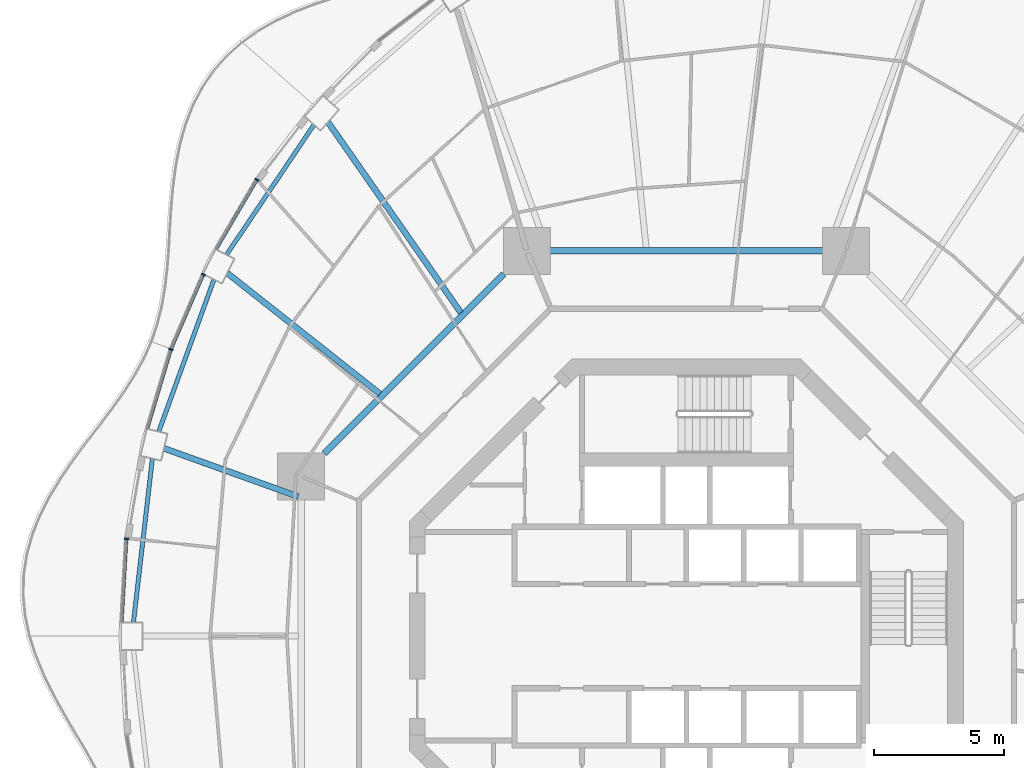
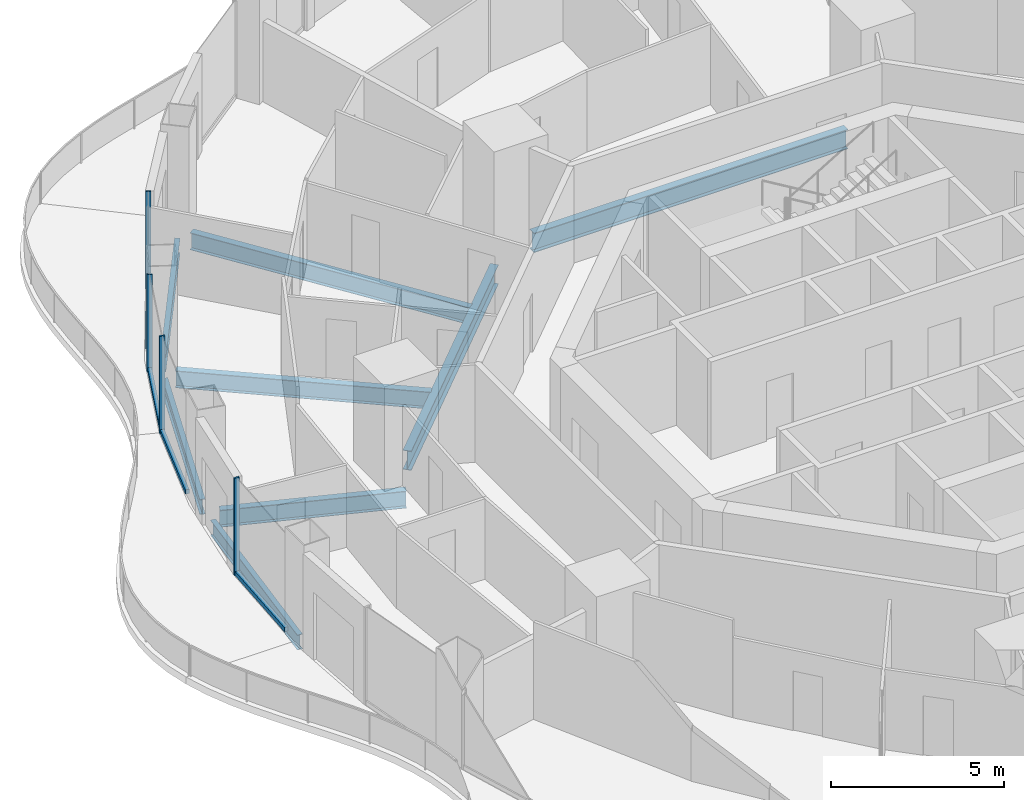
# One storey, part 6 of 19: 8 beams, 8 members, 4 elements without a shape of their own.
"""IFC4 building model written with IfcOpenShell, lengths in metres."""

from ifc_helpers import new_model, si_unit, direction, frame, origin, origin_2d, place, context, subcontext, project, spatial, rectangle, i_section, extrude, material, layer, layer_set, material_profile, profile_set, type_object, element, aggregate, save


model = new_model("IFC4")

# Units and contexts
model_context = context("Model", 3, precision=1e-05, world=origin(), true_north=direction((0.0, 1.0)))
body_context = subcontext(model_context, "Body", "Model", "MODEL_VIEW")
ifc_project = project(units=[si_unit("LENGTHUNIT", "METRE"), si_unit("AREAUNIT", "SQUARE_METRE"), si_unit("VOLUMEUNIT", "CUBIC_METRE"), si_unit("PLANEANGLEUNIT", "RADIAN"), si_unit("MASSUNIT", "GRAM", prefix="KILO")], contexts=[model_context])

# Site, building, storey
site_placement = place(None, origin())
site = spatial("IfcSite", under=ifc_project, at=site_placement, CompositionType="ELEMENT")
building_placement = place(site_placement, origin())
building = spatial("IfcBuilding", under=site, at=building_placement, Name="Nagisa Residences", CompositionType="ELEMENT")
storey_placement = place(building_placement, frame((0.0, 0.0, 191.800048828125)))
storey = spatial("IfcBuildingStorey", under=building, at=storey_placement, Name="L48", CompositionType="ELEMENT", Elevation=191.800048828125)

# Curtain wall, member
ifc_material_1 = material(Name="Concrete-coloured aluminium curtain wall system", Category="concrete")
ifc_layer = layer(ifc_material_1, 0.159912109375)
ifc_layer_set = layer_set([ifc_layer], Name="CW1 CURTAIN WALL")
curtain_wall_type = type_object("IfcCurtainWallType", Name="CW1 CURTAIN WALL", PredefinedType="NOTDEFINED", material=ifc_layer_set)
curtain_wall_1_placement = place(storey_placement, origin())
curtain_wall_1 = element("IfcCurtainWall", 1, at=curtain_wall_1_placement, inside=storey, type_object=curtain_wall_type, Name="cw:CW1:L48:19", PredefinedType="NOTDEFINED")
ifc_material_2 = material(Name="Concrete-coloured aluminium", Category="concrete")
ifc_material_profile_1 = material_profile(ifc_material_2, rectangle(XDim=0.159912109375, YDim=0.06005859375, at=origin_2d()), Name="CW1 MULLION 160x60")
ifc_profile_set_1 = profile_set([ifc_material_profile_1], Name="Concrete-coloured aluminium")
member_type_1 = type_object("IfcMemberType", Name="CW1 MULLION 160x60", PredefinedType="MULLION", material=ifc_profile_set_1)
member_1_placement = place(storey_placement, frame((-16.4775390625, 17.51171875, 0.0), z_axis=(0.0, 0.0, 1.0), x_axis=(0.862328898214, -0.506348567002, 0.0)))
member_1 = element("IfcMember", 2, at=member_1_placement, type_object=member_type_1, Name="CW1 mullion", PredefinedType="MULLION", context=body_context, shape_type="SweptSolid", body=[
    extrude(rectangle(XDim=0.159912109375, YDim=0.06005859375, at=origin_2d()), origin(), (0.0, 0.0, 1.0), 3.43994140625),
])

curtain_wall_2_placement = place(storey_placement, origin())
curtain_wall_2 = element("IfcCurtainWall", 3, at=curtain_wall_2_placement, inside=storey, type_object=curtain_wall_type, Name="cw:CW1:L48:20", PredefinedType="NOTDEFINED")
member_2_placement = place(storey_placement, frame((-18.53271484375, 13.87353515625, 0.0), z_axis=(0.0, 0.0, 1.0), x_axis=(0.917543276295, -0.397635934147, 0.0)))
member_2 = element("IfcMember", 4, at=member_2_placement, type_object=member_type_1, Name="CW1 mullion", PredefinedType="MULLION", context=body_context, shape_type="SweptSolid", body=[
    extrude(rectangle(XDim=0.159912109375, YDim=0.06005859375, at=origin_2d()), origin(), (0.0, 0.0, 1.0), 3.43994140625),
])

curtain_wall_3_placement = place(storey_placement, origin())
curtain_wall_3 = element("IfcCurtainWall", 5, at=curtain_wall_3_placement, inside=storey, type_object=curtain_wall_type, Name="cw:CW1:L48:21", PredefinedType="NOTDEFINED")
member_3_placement = place(storey_placement, frame((-19.775390625, 10.998291015625, 0.0), z_axis=(0.0, 0.0, 1.0), x_axis=(0.958271310082, -0.285860274038, 0.0)))
member_3 = element("IfcMember", 6, at=member_3_placement, type_object=member_type_1, Name="CW1 mullion", PredefinedType="MULLION", context=body_context, shape_type="SweptSolid", body=[
    extrude(rectangle(XDim=0.159912109375, YDim=0.06005859375, at=origin_2d()), origin(), (0.0, 0.0, 1.0), 3.43994140625),
])

curtain_wall_4_placement = place(storey_placement, origin())
curtain_wall_4 = element("IfcCurtainWall", 7, at=curtain_wall_4_placement, inside=storey, type_object=curtain_wall_type, Name="cw:CW1:L48:23", PredefinedType="NOTDEFINED")
member_4_placement = place(storey_placement, frame((-21.479736328125, 3.734375, 0.0), z_axis=(0.0, 0.0, 1.0), x_axis=(0.998345305184, -0.057503492216, 0.0)))
member_4 = element("IfcMember", 8, at=member_4_placement, type_object=member_type_1, Name="CW1 mullion", PredefinedType="MULLION", context=body_context, shape_type="SweptSolid", body=[
    extrude(rectangle(XDim=0.159912109375, YDim=0.06005859375, at=origin_2d()), origin(), (0.0, 0.0, 1.0), 3.43994140625),
])

# Member
ifc_material_3 = material(Name="Concrete-coloured aluminium", Category="concrete")
ifc_material_profile_2 = material_profile(ifc_material_3, rectangle(XDim=0.1201171875, YDim=0.14990234375, at=origin_2d()), Name="CW1 TRANSOM 120x150")
ifc_profile_set_2 = profile_set([ifc_material_profile_2], Name="Concrete-coloured aluminium")
member_type_2 = type_object("IfcMemberType", Name="CW1 TRANSOM 120x150", PredefinedType="USERDEFINED", material=ifc_profile_set_2)
member_5_placement = place(storey_placement, frame((-16.46240234375, 17.53759765625, 0.074951171875), z_axis=(-0.506309086483, -0.862352079458, 0.0), x_axis=(0.862352079458, -0.506309086483, 0.0)))
member_5 = element("IfcMember", 9, at=member_5_placement, type_object=member_type_2, Name="CW1 transom", ObjectType="TRANSOM", PredefinedType="USERDEFINED", context=body_context, shape_type="SweptSolid", body=[
    extrude(rectangle(XDim=0.1201171875, YDim=0.14990234375, at=origin_2d()), origin(), (0.0, 0.0, 1.0), 3.091796875),
])

aggregate(curtain_wall_1, [member_1, member_5])

member_6_placement = place(storey_placement, frame((-18.520751953125, 13.901123046875, 0.074951171875), z_axis=(-0.397592173732, -0.917562239517, 0.0), x_axis=(0.917562239517, -0.397592173732, 0.0)))
member_6 = element("IfcMember", 10, at=member_6_placement, type_object=member_type_2, Name="CW1 transom", ObjectType="TRANSOM", PredefinedType="USERDEFINED", context=body_context, shape_type="SweptSolid", body=[
    extrude(rectangle(XDim=0.1201171875, YDim=0.14990234375, at=origin_2d()), origin(), (0.0, 0.0, 1.0), 3.14208984375),
])

aggregate(curtain_wall_2, [member_2, member_6])

member_7_placement = place(storey_placement, frame((-19.766845703125, 11.027099609375, 0.074951171875), z_axis=(-0.28584838049, -0.958274857946, 0.0), x_axis=(0.958274857946, -0.28584838049, 0.0)))
member_7 = element("IfcMember", 11, at=member_7_placement, type_object=member_type_2, Name="CW1 transom", ObjectType="TRANSOM", PredefinedType="USERDEFINED", context=body_context, shape_type="SweptSolid", body=[
    extrude(rectangle(XDim=0.1201171875, YDim=0.14990234375, at=origin_2d()), origin(), (0.0, 0.0, 1.0), 3.182373046875),
])

aggregate(curtain_wall_3, [member_3, member_7])

member_8_placement = place(storey_placement, frame((-21.47802734375, 3.764404296875, 0.074951171875), z_axis=(-0.057528345118, -0.998343873376, 0.0), x_axis=(0.998343873376, -0.057528345118, 0.0)))
member_8 = element("IfcMember", 12, at=member_8_placement, type_object=member_type_2, Name="CW1 transom", ObjectType="TRANSOM", PredefinedType="USERDEFINED", context=body_context, shape_type="SweptSolid", body=[
    extrude(rectangle(XDim=0.1201171875, YDim=0.14990234375, at=origin_2d()), origin(), (0.0, 0.0, 1.0), 3.225341796875),
])

aggregate(curtain_wall_4, [member_4, member_8])

# Beams
ifc_material_4 = material(Name="Steel ASTM A572 Gr 50", Category="steel")
ifc_material_profile_3 = material_profile(ifc_material_4, i_section(OverallWidth=0.25390625, OverallDepth=0.68408203125, WebThickness=0.012451171875, FlangeThickness=0.018798828125, at=origin_2d()), Name="W690x140")
ifc_profile_set_3 = profile_set([ifc_material_profile_3], Name="Steel ASTM A572 Gr 50")
beam_type_1 = type_object("IfcBeamType", Name="Inner ring beam W690x140", PredefinedType="BEAM", material=ifc_profile_set_3)
beam_1_placement = place(storey_placement, frame((5.242919921875, 14.781982421875, -0.60205078125), z_axis=(-1.0, 0.0, 0.0), x_axis=(0.0, -1.0, 0.0)))
element("IfcBeam", 13, at=beam_1_placement, inside=storey, type_object=beam_type_1, Name="beam:L48:ib2", PredefinedType="BEAM", context=body_context, shape_type="SweptSolid", body=[
    extrude(i_section(OverallWidth=0.25390625, OverallDepth=0.68408203125, WebThickness=0.012451171875, FlangeThickness=0.018798828125, at=origin_2d()), origin(), (0.0, 0.0, 1.0), 10.48583984375),
])
beam_2_placement = place(storey_placement, frame((-7.0087890625, 13.896240234375, -0.60205078125), z_axis=(-0.707106781187, -0.707106781187, 0.0), x_axis=(0.707106781187, -0.707106781187, 0.0)))
element("IfcBeam", 14, at=beam_2_placement, inside=storey, type_object=beam_type_1, Name="beam:L48:ib3", PredefinedType="BEAM", context=body_context, shape_type="SweptSolid", body=[
    extrude(i_section(OverallWidth=0.25390625, OverallDepth=0.68408203125, WebThickness=0.012451171875, FlangeThickness=0.018798828125, at=origin_2d()), origin(), (0.0, 0.0, 1.0), 9.740234375),
])
ifc_material_5 = material(Name="Steel ASTM A572 Gr 50", Category="steel")
ifc_material_profile_4 = material_profile(ifc_material_5, i_section(OverallWidth=0.166015625, OverallDepth=0.534912109375, WebThickness=0.01025390625, FlangeThickness=0.0166015625, at=origin_2d()), Name="W530x85")
ifc_profile_set_4 = profile_set([ifc_material_profile_4], Name="Steel ASTM A572 Gr 50")
beam_type_2 = type_object("IfcBeamType", Name="Perimeter ring beam W530x85", PredefinedType="BEAM", material=ifc_profile_set_4)
beam_3_placement = place(storey_placement, frame((-14.28759765625, 19.62060546875, -0.527587890625), z_axis=(-0.558152301307, -0.829738518177, 0.0), x_axis=(0.829738518177, -0.558152301307, 0.0)))
element("IfcBeam", 15, at=beam_3_placement, inside=storey, type_object=beam_type_2, Name="beam:L48:pb10", PredefinedType="BEAM", context=body_context, shape_type="SweptSolid", body=[
    extrude(i_section(OverallWidth=0.166015625, OverallDepth=0.534912109375, WebThickness=0.01025390625, FlangeThickness=0.0166015625, at=origin_2d()), origin(), (0.0, 0.0, 1.0), 6.013916015625),
])
beam_4_placement = place(storey_placement, frame((-18.124755859375, 13.685546875, -0.527587890625), z_axis=(-0.341285525681, -0.939959674646, 0.0), x_axis=(0.939959674646, -0.341285525681, 0.0)))
element("IfcBeam", 16, at=beam_4_placement, inside=storey, type_object=beam_type_2, Name="beam:L48:pb11", PredefinedType="BEAM", context=body_context, shape_type="SweptSolid", body=[
    extrude(i_section(OverallWidth=0.166015625, OverallDepth=0.534912109375, WebThickness=0.01025390625, FlangeThickness=0.0166015625, at=origin_2d()), origin(), (0.0, 0.0, 1.0), 6.212890625),
])
beam_5_placement = place(storey_placement, frame((-20.488525390625, 6.813720703125, -0.527587890625), z_axis=(-0.114670987431, -0.993403525583, 0.0), x_axis=(0.993403525583, -0.114670987431, 0.0)))
element("IfcBeam", 17, at=beam_5_placement, inside=storey, type_object=beam_type_2, Name="beam:L48:pb12", PredefinedType="BEAM", context=body_context, shape_type="SweptSolid", body=[
    extrude(i_section(OverallWidth=0.166015625, OverallDepth=0.534912109375, WebThickness=0.01025390625, FlangeThickness=0.0166015625, at=origin_2d()), origin(), (0.0, 0.0, 1.0), 6.325439453125),
])
ifc_material_6 = material(Name="Steel ASTM A572 Gr 50", Category="steel")
ifc_material_profile_5 = material_profile(ifc_material_6, i_section(OverallWidth=0.22802734375, OverallDepth=0.60302734375, WebThickness=0.010498046875, FlangeThickness=0.014892578125, at=origin_2d()), Name="W610x101")
ifc_profile_set_5 = profile_set([ifc_material_profile_5], Name="Steel ASTM A572 Gr 50")
beam_type_3 = type_object("IfcBeamType", Name="Radial beam W610x101", PredefinedType="BEAM", material=ifc_profile_set_5)
beam_6_placement = place(storey_placement, frame((-13.75048828125, 19.7216796875, -0.5615234375), z_axis=(0.571934479253, -0.82029930601, 0.0), x_axis=(0.82029930601, 0.571934479253, 0.0)))
element("IfcBeam", 18, at=beam_6_placement, inside=storey, type_object=beam_type_3, Name="beam:L48:rb10", PredefinedType="BEAM", context=body_context, shape_type="SweptSolid", body=[
    extrude(i_section(OverallWidth=0.22802734375, OverallDepth=0.60302734375, WebThickness=0.010498046875, FlangeThickness=0.014892578125, at=origin_2d()), origin(), (0.0, 0.0, 1.0), 8.917724609375),
])
beam_7_placement = place(storey_placement, frame((-17.617919921875, 13.930908203125, -0.5615234375), z_axis=(0.784411523752, -0.620240728593, 0.0), x_axis=(0.620240728593, 0.784411523752, 0.0)))
element("IfcBeam", 19, at=beam_7_placement, inside=storey, type_object=beam_type_3, Name="beam:L48:rb11", PredefinedType="BEAM", context=body_context, shape_type="SweptSolid", body=[
    extrude(i_section(OverallWidth=0.22802734375, OverallDepth=0.60302734375, WebThickness=0.010498046875, FlangeThickness=0.014892578125, at=origin_2d()), origin(), (0.0, 0.0, 1.0), 7.4697265625),
])
beam_8_placement = place(storey_placement, frame((-20.043701171875, 7.2060546875, -0.5615234375), z_axis=(0.941032808963, -0.338315315137, 0.0), x_axis=(0.338315315137, 0.941032808963, 0.0)))
element("IfcBeam", 20, at=beam_8_placement, inside=storey, type_object=beam_type_3, Name="beam:L48:rb12", PredefinedType="BEAM", context=body_context, shape_type="SweptSolid", body=[
    extrude(i_section(OverallWidth=0.22802734375, OverallDepth=0.60302734375, WebThickness=0.010498046875, FlangeThickness=0.014892578125, at=origin_2d()), origin(), (0.0, 0.0, 1.0), 5.4765625),
])

save(model, "model.ifc")
